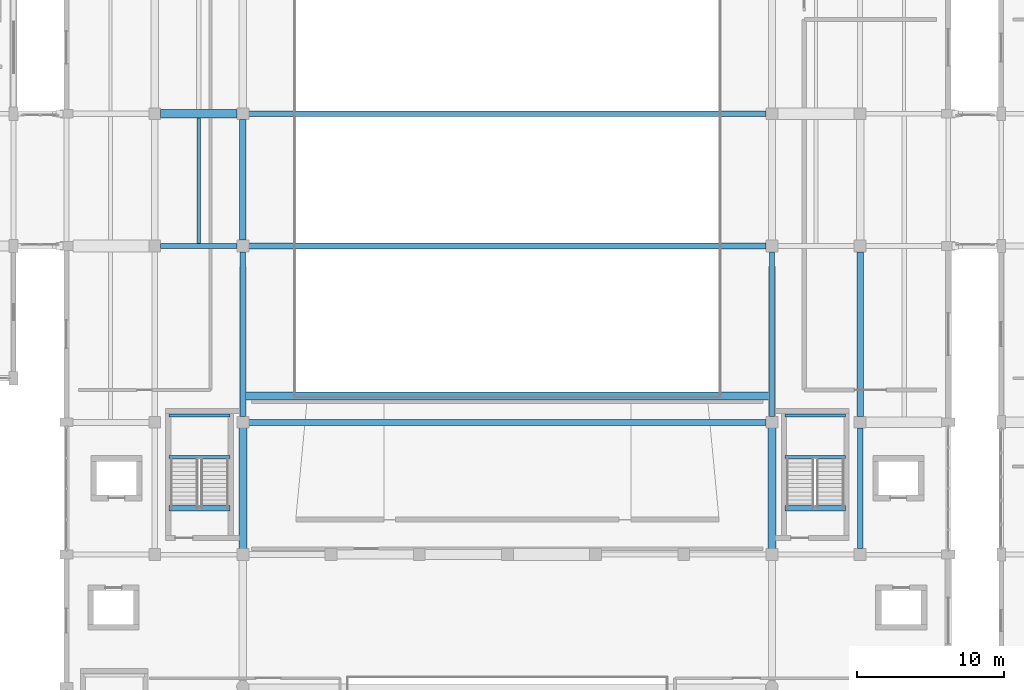
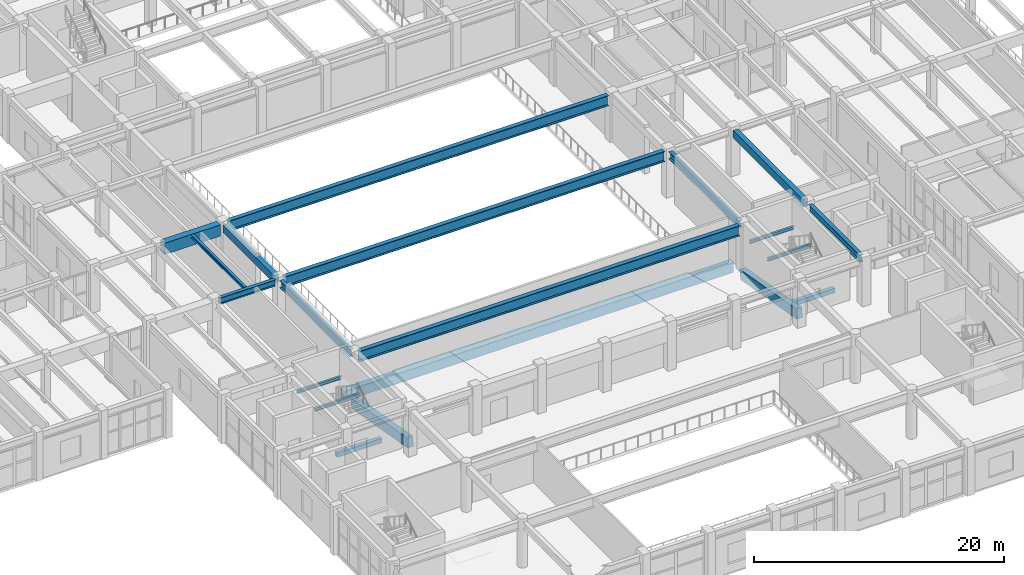
# One storey, part 29 of 96: 20 beams.
"""IFC4 building model written with IfcOpenShell, lengths in metres."""

from ifc_helpers import new_model, si_unit, direction, frame, origin, origin_2d, place, context, subcontext, project, spatial, rectangle, i_section, extrude, material, material_profile, profile_set, type_object, element, save


model = new_model("IFC4")

# Units and contexts
model_context = context("Model", 3, precision=1e-05, world=origin(), true_north=direction((0.0, 1.0)))
body_context = subcontext(model_context, "Body", "Model", "MODEL_VIEW")
ifc_project = project(units=[si_unit("LENGTHUNIT", "METRE"), si_unit("AREAUNIT", "SQUARE_METRE"), si_unit("VOLUMEUNIT", "CUBIC_METRE"), si_unit("PLANEANGLEUNIT", "RADIAN"), si_unit("MASSUNIT", "GRAM", prefix="KILO")], contexts=[model_context])

# Site, building, storey
site_placement = place(None, origin())
site = spatial("IfcSite", under=ifc_project, at=site_placement, CompositionType="ELEMENT")
building_placement = place(site_placement, origin())
building = spatial("IfcBuilding", under=site, at=building_placement, Name="Vaelkrest Opera House", CompositionType="ELEMENT")
storey_placement = place(building_placement, frame((0.0, 0.0, 5.39990234375)))
storey = spatial("IfcBuildingStorey", under=building, at=storey_placement, Name="L01", CompositionType="ELEMENT", Elevation=5.39990234375)

# Beams
ifc_material_1 = material(Name="Concrete C50/60", Category="concrete")
ifc_material_profile_1 = material_profile(ifc_material_1, rectangle(XDim=0.449951171875, YDim=0.75, at=origin_2d()), Name="RCB450X750")
ifc_profile_set_1 = profile_set([ifc_material_profile_1], Name="Concrete C50/60")
beam_type_1 = type_object("IfcBeamType", Name="B02", PredefinedType="BEAM", material=ifc_profile_set_1)
beam_1_placement = place(storey_placement, frame((-18.0, -7.39990234375, 4.125), z_axis=(0.0, 1.0, 0.0), x_axis=(-1.0, 0.0, 0.0)))
element("IfcBeam", 1, at=beam_1_placement, inside=storey, type_object=beam_type_1, Name="Beam BM-V1-L01-0275", PredefinedType="BEAM", context=body_context, shape_type="SweptSolid", body=[
    extrude(rectangle(XDim=0.449951171875, YDim=0.75, at=origin_2d()), origin(), (0.0, 0.0, 1.0), 8.199951171875),
])
beam_2_placement = place(storey_placement, frame((24.0, -19.39990234375, 4.125), z_axis=(0.0, 1.0, 0.0), x_axis=(-1.0, 0.0, 0.0)))
element("IfcBeam", 2, at=beam_2_placement, inside=storey, type_object=beam_type_1, Name="Beam BM-V1-L01-0287", PredefinedType="BEAM", context=body_context, shape_type="SweptSolid", body=[
    extrude(rectangle(XDim=0.449951171875, YDim=0.75, at=origin_2d()), origin(), (0.0, 0.0, 1.0), 11.199951171875),
])
ifc_material_profile_2 = material_profile(ifc_material_1, rectangle(XDim=0.550048828125, YDim=0.949951171875, at=origin_2d()), Name="RCB550X950")
ifc_profile_set_2 = profile_set([ifc_material_profile_2], Name="Concrete C50/60")
beam_type_2 = type_object("IfcBeamType", Name="B04", PredefinedType="BEAM", material=ifc_profile_set_2)
beam_3_placement = place(storey_placement, frame((-18.0, -18.0, -0.794921875), z_axis=(1.0, 0.0, 0.0), x_axis=(0.0, 1.0, 0.0)))
element("IfcBeam", 3, at=beam_3_placement, inside=storey, type_object=beam_type_2, Name="Auditorium seating tier front girder L01", PredefinedType="BEAM", context=body_context, shape_type="SweptSolid", body=[
    extrude(rectangle(XDim=0.550048828125, YDim=0.949951171875, at=origin_2d()), origin(), (0.0, 0.0, 1.0), 36.0),
])
for number, where, z_axis, x_axis, name in (
    (4, (-18.0, -19.800048828125, -0.451904296875), (0.0, -0.98480829125, 0.173645125139), (1.0, 0.0, 0.0), "Auditorium raker beam 3"),
    (5, (18.0, -19.800048828125, -0.451904296875), (0.0, -0.98480829125, 0.173645125139), (1.0, 0.0, 0.0), "Auditorium raker beam 4"),
):
    element("IfcBeam", number, at=place(storey_placement, frame(where, z_axis=z_axis, x_axis=x_axis)), inside=storey, type_object=beam_type_2, Name=name, PredefinedType="BEAM", context=body_context, shape_type="SweptSolid", body=[
        extrude(rectangle(XDim=0.550048828125, YDim=0.949951171875, at=origin_2d()), origin(), (0.0, 0.0, 1.0), 9.138916015625),
    ])
ifc_material_profile_3 = material_profile(ifc_material_1, rectangle(XDim=0.60009765625, YDim=1.10009765625, at=origin_2d()), Name="RCB600X1100")
ifc_profile_set_3 = profile_set([ifc_material_profile_3], Name="Concrete C50/60")
beam_type_3 = type_object("IfcBeamType", Name="B05", PredefinedType="BEAM", material=ifc_profile_set_3)
beam_4_placement = place(storey_placement, frame((-23.60009765625, 1.199951171875, 3.9501953125), z_axis=(1.0, 0.0, 0.0), x_axis=(0.0, 1.0, 0.0)))
element("IfcBeam", 6, at=beam_4_placement, inside=storey, type_object=beam_type_3, Name="Beam BM-V1-L01-0238", PredefinedType="BEAM", context=body_context, shape_type="SweptSolid", body=[
    extrude(rectangle(XDim=0.60009765625, YDim=1.10009765625, at=origin_2d()), origin(), (0.0, 0.0, 1.0), 5.2001953125),
])
ifc_material_2 = material(Name="Steel A992 Gr50", Category="steel")
ifc_material_profile_4 = material_profile(ifc_material_2, i_section(OverallWidth=0.323974609375, OverallDepth=0.611083984375, WebThickness=0.0126953125, FlangeThickness=0.01904296875, at=origin_2d()), Name="W24X104")
ifc_profile_set_4 = profile_set([ifc_material_profile_4], Name="Steel A992 Gr50")
beam_type_4 = type_object("IfcBeamType", Name="B08", PredefinedType="BEAM", material=ifc_profile_set_4)
beam_5_placement = place(storey_placement, frame((-23.60009765625, -7.800048828125, 4.194580078125), z_axis=(1.0, 0.0, 0.0), x_axis=(0.0, 1.0, 0.0)))
element("IfcBeam", 7, at=beam_5_placement, inside=storey, type_object=beam_type_4, Name="Beam BM-V1-L01-0233", PredefinedType="BEAM", context=body_context, shape_type="SweptSolid", body=[
    extrude(i_section(OverallWidth=0.323974609375, OverallDepth=0.611083984375, WebThickness=0.0126953125, FlangeThickness=0.01904296875, at=origin_2d()), origin(), (0.0, 0.0, 1.0), 5.2001953125),
])
ifc_material_profile_5 = material_profile(ifc_material_2, i_section(OverallWidth=0.35791015625, OverallDepth=0.7060546875, WebThickness=0.018310546875, FlangeThickness=0.0302734375, at=origin_2d()), Name="W27X178")
ifc_profile_set_5 = profile_set([ifc_material_profile_5], Name="Steel A992 Gr50")
beam_type_5 = type_object("IfcBeamType", Name="B14", PredefinedType="BEAM", material=ifc_profile_set_5)
for number, where, z_axis, x_axis, name in (
    (8, (-18.0, -19.39990234375, 4.147216796875), (0.0, 1.0, 0.0), (-1.0, 0.0, 0.0), "Beam BM-V1-L01-0274"),
    (9, (18.0, -19.39990234375, 4.147216796875), (0.0, 1.0, 0.0), (-1.0, 0.0, 0.0), "Beam BM-V1-L01-0282"),
):
    element("IfcBeam", number, at=place(storey_placement, frame(where, z_axis=z_axis, x_axis=x_axis)), inside=storey, type_object=beam_type_5, Name=name, PredefinedType="BEAM", context=body_context, shape_type="SweptSolid", body=[
        extrude(i_section(OverallWidth=0.35791015625, OverallDepth=0.7060546875, WebThickness=0.018310546875, FlangeThickness=0.0302734375, at=origin_2d()), origin(), (0.0, 0.0, 1.0), 11.199951171875),
    ])
beam_6_placement = place(storey_placement, frame((24.0, -28.39990234375, 4.147216796875), z_axis=(0.0, 1.0, 0.0), x_axis=(-1.0, 0.0, 0.0)))
element("IfcBeam", 10, at=beam_6_placement, inside=storey, type_object=beam_type_5, Name="Beam BM-V1-L01-0286", PredefinedType="BEAM", context=body_context, shape_type="SweptSolid", body=[
    extrude(i_section(OverallWidth=0.35791015625, OverallDepth=0.7060546875, WebThickness=0.018310546875, FlangeThickness=0.0302734375, at=origin_2d()), origin(), (0.0, 0.0, 1.0), 8.199951171875),
])
ifc_material_profile_6 = material_profile(ifc_material_2, i_section(OverallWidth=0.39990234375, OverallDepth=1.02197265625, WebThickness=0.01904296875, FlangeThickness=0.0361328125, at=origin_2d()), Name="W40X249")
ifc_profile_set_6 = profile_set([ifc_material_profile_6], Name="Steel A992 Gr50")
beam_type_6 = type_object("IfcBeamType", Name="B15", PredefinedType="BEAM", material=ifc_profile_set_6)
for number, where, z_axis, x_axis, name in (
    (11, (-17.60009765625, -19.800048828125, 3.989013671875), (1.0, 0.0, 0.0), (0.0, 1.0, 0.0), "Beam BM-V1-L01-0230"),
    (12, (-17.60009765625, -7.800048828125, 3.989013671875), (1.0, 0.0, 0.0), (0.0, 1.0, 0.0), "Beam BM-V1-L01-0234"),
    (13, (-17.60009765625, 1.199951171875, 3.989013671875), (1.0, 0.0, 0.0), (0.0, 1.0, 0.0), "Beam BM-V1-L01-0239"),
):
    element("IfcBeam", number, at=place(storey_placement, frame(where, z_axis=z_axis, x_axis=x_axis)), inside=storey, type_object=beam_type_6, Name=name, PredefinedType="BEAM", context=body_context, shape_type="SweptSolid", body=[
        extrude(i_section(OverallWidth=0.39990234375, OverallDepth=1.02197265625, WebThickness=0.01904296875, FlangeThickness=0.0361328125, at=origin_2d()), origin(), (0.0, 0.0, 1.0), 35.2001953125),
    ])
ifc_material_profile_7 = material_profile(ifc_material_2, i_section(OverallWidth=0.202880859375, OverallDepth=0.302978515625, WebThickness=0.007568359375, FlangeThickness=0.01318359375, at=origin_2d()), Name="W12X40")
ifc_profile_set_7 = profile_set([ifc_material_profile_7], Name="Steel A992 Gr50")
beam_type_7 = type_object("IfcBeamType", Name="J02", PredefinedType="JOIST", material=ifc_profile_set_7)
for number, where, z_axis, x_axis, name in (
    (14, (-23.02001953125, -22.169921875, 2.048583984375), (1.0, 0.0, 0.0), (0.0, 1.0, 0.0), "Stair landing bearer beam ST01 L01-1N"),
    (15, (-23.02001953125, -19.320068359375, 2.048583984375), (1.0, 0.0, 0.0), (0.0, 1.0, 0.0), "Stair landing bearer beam ST01 L01-1F"),
    (16, (18.8798828125, -22.169921875, 2.048583984375), (1.0, 0.0, 0.0), (0.0, 1.0, 0.0), "Stair landing bearer beam ST02 L01-1N"),
    (17, (18.8798828125, -19.320068359375, 2.048583984375), (1.0, 0.0, 0.0), (0.0, 1.0, 0.0), "Stair landing bearer beam ST02 L01-1F"),
):
    element("IfcBeam", number, at=place(storey_placement, frame(where, z_axis=z_axis, x_axis=x_axis)), inside=storey, type_object=beam_type_7, Name=name, PredefinedType="JOIST", context=body_context, shape_type="SweptSolid", body=[
        extrude(i_section(OverallWidth=0.202880859375, OverallDepth=0.302978515625, WebThickness=0.007568359375, FlangeThickness=0.01318359375, at=origin_2d()), origin(), (0.0, 0.0, 1.0), 4.14013671875),
    ])
ifc_material_profile_8 = material_profile(ifc_material_2, i_section(OverallWidth=0.25390625, OverallDepth=0.305908203125, WebThickness=0.0087890625, FlangeThickness=0.0146484375, at=origin_2d()), Name="W12X53")
ifc_profile_set_8 = profile_set([ifc_material_profile_8], Name="Steel A992 Gr50")
beam_type_8 = type_object("IfcBeamType", Name="J03", PredefinedType="JOIST", material=ifc_profile_set_8)
beam_7_placement = place(storey_placement, frame((-21.0, -7.637939453125, 4.34716796875), z_axis=(0.0, 1.0, 0.0), x_axis=(-1.0, 0.0, 0.0)))
element("IfcBeam", 18, at=beam_7_placement, inside=storey, type_object=beam_type_8, Name="Floor joist JST-V1-L01-0303", PredefinedType="JOIST", context=body_context, shape_type="SweptSolid", body=[
    extrude(i_section(OverallWidth=0.25390625, OverallDepth=0.305908203125, WebThickness=0.0087890625, FlangeThickness=0.0146484375, at=origin_2d()), origin(), (0.0, 0.0, 1.0), 8.537841796875),
])
ifc_material_profile_9 = material_profile(ifc_material_1, rectangle(XDim=0.35009765625, YDim=0.449951171875, at=origin_2d()), Name="RCB350X450")
ifc_profile_set_9 = profile_set([ifc_material_profile_9], Name="Concrete C50/60")
beam_type_9 = type_object("IfcBeamType", Name="LN01", PredefinedType="LINTEL", material=ifc_profile_set_9)
for number, where, z_axis, x_axis, name in (
    (19, (-23.02001953125, -25.64990234375, -0.224853515625), (1.0, 0.0, 0.0), (0.0, 1.0, 0.0), "Stairwell trimmer beam ST01 L01"),
    (20, (18.8798828125, -25.64990234375, -0.224853515625), (1.0, 0.0, 0.0), (0.0, 1.0, 0.0), "Stairwell trimmer beam ST02 L01"),
):
    element("IfcBeam", number, at=place(storey_placement, frame(where, z_axis=z_axis, x_axis=x_axis)), inside=storey, type_object=beam_type_9, Name=name, PredefinedType="LINTEL", context=body_context, shape_type="SweptSolid", body=[
        extrude(rectangle(XDim=0.35009765625, YDim=0.449951171875, at=origin_2d()), origin(), (0.0, 0.0, 1.0), 4.14013671875),
    ])

save(model, "model.ifc")
